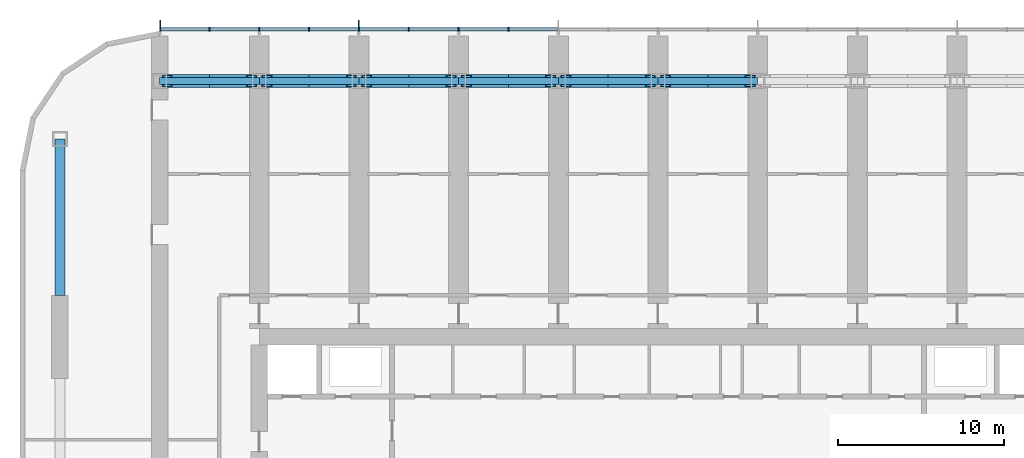
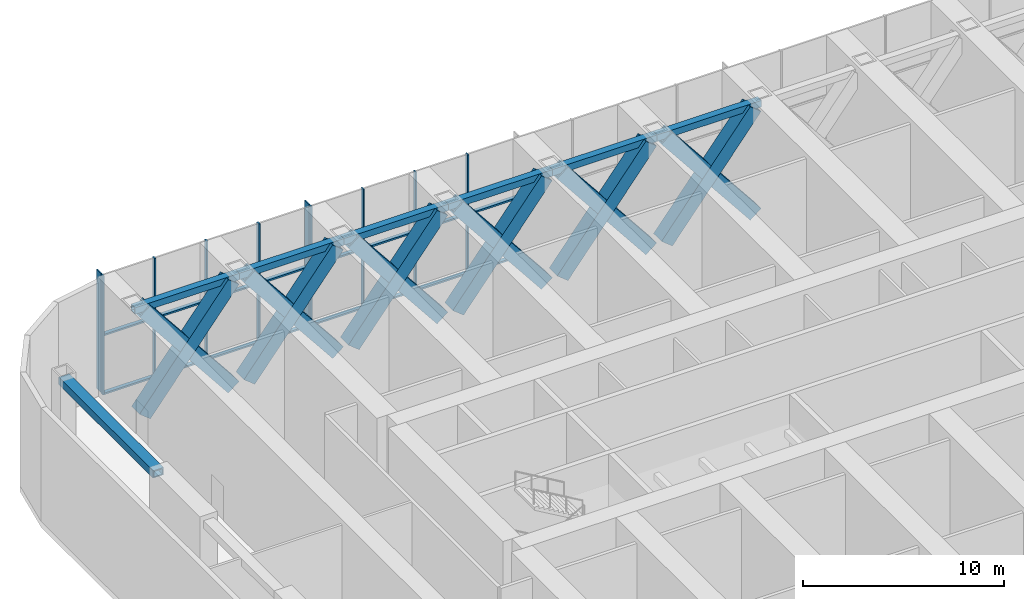
# One storey, part 4 of 24: 38 members, 7 beams, 1 element without a shape of its own.
"""IFC4 building model written with IfcOpenShell, lengths in metres."""

from ifc_helpers import new_model, si_unit, direction, frame, origin, origin_2d, place, context, subcontext, project, spatial, rectangle, hollow_rectangle, extrude, material, material_profile, profile_set, type_object, element, aggregate, save


model = new_model("IFC4")

# Units and contexts
model_context = context("Model", 3, precision=1e-05, world=origin(), true_north=direction((0.0, 1.0)))
body_context = subcontext(model_context, "Body", "Model", "MODEL_VIEW")
ifc_project = project(units=[si_unit("LENGTHUNIT", "METRE"), si_unit("AREAUNIT", "SQUARE_METRE"), si_unit("VOLUMEUNIT", "CUBIC_METRE"), si_unit("PLANEANGLEUNIT", "RADIAN"), si_unit("MASSUNIT", "GRAM", prefix="KILO")], contexts=[model_context])

# Site, building, storey
site_placement = place(None, origin())
site = spatial("IfcSite", under=ifc_project, at=site_placement, CompositionType="ELEMENT")
building_placement = place(site_placement, origin())
building = spatial("IfcBuilding", under=site, at=building_placement, Name="Orbita Commons", CompositionType="ELEMENT")
storey_placement = place(building_placement, frame((0.0, 0.0, 68.949951171875)))
storey = spatial("IfcBuildingStorey", under=building, at=storey_placement, Name="L17", CompositionType="ELEMENT", Elevation=68.949951171875)

# Members
ifc_material_1 = material(Name="Steel ASTM A572 Gr 50 welded plate", Category="steel")
ifc_material_profile_1 = material_profile(ifc_material_1, hollow_rectangle(XDim=0.800048828125, YDim=0.800048828125, WallThickness=0.080078125, at=origin_2d()), Name="BOX 800x800x80")
ifc_profile_set_1 = profile_set([ifc_material_profile_1], Name="Steel ASTM A572 Gr 50 welded plate")
member_type_1 = type_object("IfcMemberType", Name="Belt truss diagonal BOX 800x800x80", PredefinedType="BRACE", material=ifc_profile_set_1)
for number, where, z_axis, x_axis, name in (
    (1, (12.449951171875, 53.60009765625, 0.25), (0.623202279578, 0.0, 0.782060687369), (0.0, 1.0, 0.0), "Belt truss diagonal E 3-4 rising L17"),
    (2, (12.449951171875, 53.60009765625, 6.650146484375), (0.623202279578, 0.0, -0.782060687369), (0.0, 1.0, 0.0), "Belt truss diagonal E 3-4 falling L17"),
    (3, (18.449951171875, 53.60009765625, 0.25), (0.623202279578, 0.0, 0.782060687369), (0.0, 1.0, 0.0), "Belt truss diagonal E 4-5 rising L17"),
    (4, (18.449951171875, 53.60009765625, 6.650146484375), (0.623202279578, 0.0, -0.782060687369), (0.0, 1.0, 0.0), "Belt truss diagonal E 4-5 falling L17"),
    (5, (24.449951171875, 53.60009765625, 0.25), (0.623202279578, 0.0, 0.782060687369), (0.0, 1.0, 0.0), "Belt truss diagonal E 5-6 rising L17"),
    (6, (24.449951171875, 53.60009765625, 6.650146484375), (0.623202279578, 0.0, -0.782060687369), (0.0, 1.0, 0.0), "Belt truss diagonal E 5-6 falling L17"),
    (7, (30.449951171875, 53.60009765625, 0.25), (0.623202279578, 0.0, 0.782060687369), (0.0, 1.0, 0.0), "Belt truss diagonal E 6-7 rising L17"),
    (8, (30.449951171875, 53.60009765625, 6.650146484375), (0.623202279578, 0.0, -0.782060687369), (0.0, 1.0, 0.0), "Belt truss diagonal E 6-7 falling L17"),
    (9, (36.449951171875, 53.60009765625, 0.25), (0.623202279578, 0.0, 0.782060687369), (0.0, 1.0, 0.0), "Belt truss diagonal E 7-8 rising L17"),
    (10, (36.449951171875, 53.60009765625, 6.650146484375), (0.623202279578, 0.0, -0.782060687369), (0.0, 1.0, 0.0), "Belt truss diagonal E 7-8 falling L17"),
    (11, (42.449951171875, 53.60009765625, 0.25), (0.623202279578, 0.0, 0.782060687369), (0.0, 1.0, 0.0), "Belt truss diagonal E 8-9 rising L17"),
    (12, (42.449951171875, 53.60009765625, 6.650146484375), (0.623202279578, 0.0, -0.782060687369), (0.0, 1.0, 0.0), "Belt truss diagonal E 8-9 falling L17"),
):
    element("IfcMember", number, at=place(storey_placement, frame(where, z_axis=z_axis, x_axis=x_axis)), inside=storey, type_object=member_type_1, Name=name, PredefinedType="BRACE", context=body_context, shape_type="SweptSolid", body=[
        extrude(hollow_rectangle(XDim=0.800048828125, YDim=0.800048828125, WallThickness=0.080078125, at=origin_2d()), origin(), (0.0, 0.0, 1.0), 8.18359375),
    ])

# Curtain wall, members
ifc_material_2 = material(Name="Anodised aluminium frame, pale silver", Category="aluminium")
curtain_wall_type = type_object("IfcCurtainWallType", Name="Louvred curtain wall CW-V", PredefinedType="NOTDEFINED", material=ifc_material_2)
curtain_wall_placement = place(storey_placement, origin())
curtain_wall = element("IfcCurtainWall", 13, at=curtain_wall_placement, inside=storey, type_object=curtain_wall_type, Name="Curtain wall north L17", PredefinedType="NOTDEFINED")
ifc_material_3 = material(Name="Anodised aluminium, pale silver", Category="aluminium")
ifc_material_profile_2 = material_profile(ifc_material_3, rectangle(XDim=0.080078125, YDim=0.219970703125, at=origin_2d()), Name="AL 80x220")
ifc_profile_set_2 = profile_set([ifc_material_profile_2], Name="Anodised aluminium, pale silver")
member_type_2 = type_object("IfcMemberType", Name="Curtain wall mullion 80x220", PredefinedType="MULLION", material=ifc_profile_set_2)
member_1_placement = place(storey_placement, frame((33.0, 56.7099609375, -0.349853515625), z_axis=(0.0, 0.0, 1.0), x_axis=(-1.0, 0.0, 0.0)))
member_1 = element("IfcMember", 14, at=member_1_placement, type_object=member_type_2, Name="Mullion 14 CW-L17-N", PredefinedType="MULLION", context=body_context, shape_type="SweptSolid", body=[
    extrude(rectangle(XDim=0.080078125, YDim=0.219970703125, at=origin_2d()), origin(), (0.0, 0.0, 1.0), 7.25),
])
member_2_placement = place(storey_placement, frame((30.0, 56.7099609375, -0.349853515625), z_axis=(0.0, 0.0, 1.0), x_axis=(-1.0, 0.0, 0.0)))
member_2 = element("IfcMember", 15, at=member_2_placement, type_object=member_type_2, Name="Mullion 15 CW-L17-N", PredefinedType="MULLION", context=body_context, shape_type="SweptSolid", body=[
    extrude(rectangle(XDim=0.080078125, YDim=0.219970703125, at=origin_2d()), origin(), (0.0, 0.0, 1.0), 7.25),
])
member_3_placement = place(storey_placement, frame((27.0, 56.7099609375, -0.349853515625), z_axis=(0.0, 0.0, 1.0), x_axis=(-1.0, 0.0, 0.0)))
member_3 = element("IfcMember", 16, at=member_3_placement, type_object=member_type_2, Name="Mullion 16 CW-L17-N", PredefinedType="MULLION", context=body_context, shape_type="SweptSolid", body=[
    extrude(rectangle(XDim=0.080078125, YDim=0.219970703125, at=origin_2d()), origin(), (0.0, 0.0, 1.0), 7.25),
])
member_4_placement = place(storey_placement, frame((24.0, 56.7099609375, -0.349853515625), z_axis=(0.0, 0.0, 1.0), x_axis=(-1.0, 0.0, 0.0)))
member_4 = element("IfcMember", 17, at=member_4_placement, type_object=member_type_2, Name="Mullion 17 CW-L17-N", PredefinedType="MULLION", context=body_context, shape_type="SweptSolid", body=[
    extrude(rectangle(XDim=0.080078125, YDim=0.219970703125, at=origin_2d()), origin(), (0.0, 0.0, 1.0), 7.25),
])
member_5_placement = place(storey_placement, frame((21.0, 56.7099609375, -0.349853515625), z_axis=(0.0, 0.0, 1.0), x_axis=(-1.0, 0.0, 0.0)))
member_5 = element("IfcMember", 18, at=member_5_placement, type_object=member_type_2, Name="Mullion 18 CW-L17-N", PredefinedType="MULLION", context=body_context, shape_type="SweptSolid", body=[
    extrude(rectangle(XDim=0.080078125, YDim=0.219970703125, at=origin_2d()), origin(), (0.0, 0.0, 1.0), 7.25),
])
member_6_placement = place(storey_placement, frame((18.0, 56.7099609375, -0.349853515625), z_axis=(0.0, 0.0, 1.0), x_axis=(-1.0, 0.0, 0.0)))
member_6 = element("IfcMember", 19, at=member_6_placement, type_object=member_type_2, Name="Mullion 19 CW-L17-N", PredefinedType="MULLION", context=body_context, shape_type="SweptSolid", body=[
    extrude(rectangle(XDim=0.080078125, YDim=0.219970703125, at=origin_2d()), origin(), (0.0, 0.0, 1.0), 7.25),
])
member_7_placement = place(storey_placement, frame((15.0, 56.7099609375, -0.349853515625), z_axis=(0.0, 0.0, 1.0), x_axis=(-1.0, 0.0, 0.0)))
member_7 = element("IfcMember", 20, at=member_7_placement, type_object=member_type_2, Name="Mullion 20 CW-L17-N", PredefinedType="MULLION", context=body_context, shape_type="SweptSolid", body=[
    extrude(rectangle(XDim=0.080078125, YDim=0.219970703125, at=origin_2d()), origin(), (0.0, 0.0, 1.0), 7.25),
])
member_8_placement = place(storey_placement, frame((12.0400390625, 56.7099609375, -0.349853515625), z_axis=(0.0, 0.0, 1.0), x_axis=(-1.0, 0.0, 0.0)))
member_8 = element("IfcMember", 21, at=member_8_placement, type_object=member_type_2, Name="Mullion 21 CW-L17-N", PredefinedType="MULLION", context=body_context, shape_type="SweptSolid", body=[
    extrude(rectangle(XDim=0.080078125, YDim=0.219970703125, at=origin_2d()), origin(), (0.0, 0.0, 1.0), 7.25),
])
ifc_material_4 = material(Name="Anodised aluminium, pale silver", Category="aluminium")
ifc_material_profile_3 = material_profile(ifc_material_4, rectangle(XDim=0.219970703125, YDim=0.10009765625, at=origin_2d()), Name="AL 220x100")
ifc_profile_set_3 = profile_set([ifc_material_profile_3], Name="Anodised aluminium, pale silver")
member_type_3 = type_object("IfcMemberType", Name="Curtain wall stack transom 220x100", PredefinedType="USERDEFINED", material=ifc_profile_set_3)
member_9_placement = place(storey_placement, frame((35.9599609375, 56.7099609375, -0.300048828125), z_axis=(-1.0, 0.0, 0.0), x_axis=(0.0, -1.0, 0.0)))
member_9 = element("IfcMember", 22, at=member_9_placement, type_object=member_type_3, Name="Transom 13.1 CW-L17-N", ObjectType="TRANSOM", PredefinedType="USERDEFINED", context=body_context, shape_type="SweptSolid", body=[
    extrude(rectangle(XDim=0.219970703125, YDim=0.10009765625, at=origin_2d()), origin(), (0.0, 0.0, 1.0), 2.919921875),
])
member_10_placement = place(storey_placement, frame((35.9599609375, 56.7099609375, 3.275146484375), z_axis=(-1.0, 0.0, 0.0), x_axis=(0.0, -1.0, 0.0)))
member_10 = element("IfcMember", 23, at=member_10_placement, type_object=member_type_3, Name="Transom 13.2 CW-L17-N", ObjectType="TRANSOM", PredefinedType="USERDEFINED", context=body_context, shape_type="SweptSolid", body=[
    extrude(rectangle(XDim=0.219970703125, YDim=0.10009765625, at=origin_2d()), origin(), (0.0, 0.0, 1.0), 2.919921875),
])
member_11_placement = place(storey_placement, frame((32.9599609375, 56.7099609375, -0.300048828125), z_axis=(-1.0, 0.0, 0.0), x_axis=(0.0, -1.0, 0.0)))
member_11 = element("IfcMember", 24, at=member_11_placement, type_object=member_type_3, Name="Transom 14.1 CW-L17-N", ObjectType="TRANSOM", PredefinedType="USERDEFINED", context=body_context, shape_type="SweptSolid", body=[
    extrude(rectangle(XDim=0.219970703125, YDim=0.10009765625, at=origin_2d()), origin(), (0.0, 0.0, 1.0), 2.919921875),
])
member_12_placement = place(storey_placement, frame((32.9599609375, 56.7099609375, 3.275146484375), z_axis=(-1.0, 0.0, 0.0), x_axis=(0.0, -1.0, 0.0)))
member_12 = element("IfcMember", 25, at=member_12_placement, type_object=member_type_3, Name="Transom 14.2 CW-L17-N", ObjectType="TRANSOM", PredefinedType="USERDEFINED", context=body_context, shape_type="SweptSolid", body=[
    extrude(rectangle(XDim=0.219970703125, YDim=0.10009765625, at=origin_2d()), origin(), (0.0, 0.0, 1.0), 2.919921875),
])
member_13_placement = place(storey_placement, frame((29.9599609375, 56.7099609375, -0.300048828125), z_axis=(-1.0, 0.0, 0.0), x_axis=(0.0, -1.0, 0.0)))
member_13 = element("IfcMember", 26, at=member_13_placement, type_object=member_type_3, Name="Transom 15.1 CW-L17-N", ObjectType="TRANSOM", PredefinedType="USERDEFINED", context=body_context, shape_type="SweptSolid", body=[
    extrude(rectangle(XDim=0.219970703125, YDim=0.10009765625, at=origin_2d()), origin(), (0.0, 0.0, 1.0), 2.919921875),
])
member_14_placement = place(storey_placement, frame((29.9599609375, 56.7099609375, 3.275146484375), z_axis=(-1.0, 0.0, 0.0), x_axis=(0.0, -1.0, 0.0)))
member_14 = element("IfcMember", 27, at=member_14_placement, type_object=member_type_3, Name="Transom 15.2 CW-L17-N", ObjectType="TRANSOM", PredefinedType="USERDEFINED", context=body_context, shape_type="SweptSolid", body=[
    extrude(rectangle(XDim=0.219970703125, YDim=0.10009765625, at=origin_2d()), origin(), (0.0, 0.0, 1.0), 2.919921875),
])
member_15_placement = place(storey_placement, frame((26.9599609375, 56.7099609375, -0.300048828125), z_axis=(-1.0, 0.0, 0.0), x_axis=(0.0, -1.0, 0.0)))
member_15 = element("IfcMember", 28, at=member_15_placement, type_object=member_type_3, Name="Transom 16.1 CW-L17-N", ObjectType="TRANSOM", PredefinedType="USERDEFINED", context=body_context, shape_type="SweptSolid", body=[
    extrude(rectangle(XDim=0.219970703125, YDim=0.10009765625, at=origin_2d()), origin(), (0.0, 0.0, 1.0), 2.919921875),
])
member_16_placement = place(storey_placement, frame((26.9599609375, 56.7099609375, 3.275146484375), z_axis=(-1.0, 0.0, 0.0), x_axis=(0.0, -1.0, 0.0)))
member_16 = element("IfcMember", 29, at=member_16_placement, type_object=member_type_3, Name="Transom 16.2 CW-L17-N", ObjectType="TRANSOM", PredefinedType="USERDEFINED", context=body_context, shape_type="SweptSolid", body=[
    extrude(rectangle(XDim=0.219970703125, YDim=0.10009765625, at=origin_2d()), origin(), (0.0, 0.0, 1.0), 2.919921875),
])
member_17_placement = place(storey_placement, frame((23.9599609375, 56.7099609375, -0.300048828125), z_axis=(-1.0, 0.0, 0.0), x_axis=(0.0, -1.0, 0.0)))
member_17 = element("IfcMember", 30, at=member_17_placement, type_object=member_type_3, Name="Transom 17.1 CW-L17-N", ObjectType="TRANSOM", PredefinedType="USERDEFINED", context=body_context, shape_type="SweptSolid", body=[
    extrude(rectangle(XDim=0.219970703125, YDim=0.10009765625, at=origin_2d()), origin(), (0.0, 0.0, 1.0), 2.919921875),
])
member_18_placement = place(storey_placement, frame((23.9599609375, 56.7099609375, 3.275146484375), z_axis=(-1.0, 0.0, 0.0), x_axis=(0.0, -1.0, 0.0)))
member_18 = element("IfcMember", 31, at=member_18_placement, type_object=member_type_3, Name="Transom 17.2 CW-L17-N", ObjectType="TRANSOM", PredefinedType="USERDEFINED", context=body_context, shape_type="SweptSolid", body=[
    extrude(rectangle(XDim=0.219970703125, YDim=0.10009765625, at=origin_2d()), origin(), (0.0, 0.0, 1.0), 2.919921875),
])
member_19_placement = place(storey_placement, frame((20.9599609375, 56.7099609375, -0.300048828125), z_axis=(-1.0, 0.0, 0.0), x_axis=(0.0, -1.0, 0.0)))
member_19 = element("IfcMember", 32, at=member_19_placement, type_object=member_type_3, Name="Transom 18.1 CW-L17-N", ObjectType="TRANSOM", PredefinedType="USERDEFINED", context=body_context, shape_type="SweptSolid", body=[
    extrude(rectangle(XDim=0.219970703125, YDim=0.10009765625, at=origin_2d()), origin(), (0.0, 0.0, 1.0), 2.919921875),
])
member_20_placement = place(storey_placement, frame((20.9599609375, 56.7099609375, 3.275146484375), z_axis=(-1.0, 0.0, 0.0), x_axis=(0.0, -1.0, 0.0)))
member_20 = element("IfcMember", 33, at=member_20_placement, type_object=member_type_3, Name="Transom 18.2 CW-L17-N", ObjectType="TRANSOM", PredefinedType="USERDEFINED", context=body_context, shape_type="SweptSolid", body=[
    extrude(rectangle(XDim=0.219970703125, YDim=0.10009765625, at=origin_2d()), origin(), (0.0, 0.0, 1.0), 2.919921875),
])
member_21_placement = place(storey_placement, frame((17.9599609375, 56.7099609375, -0.300048828125), z_axis=(-1.0, 0.0, 0.0), x_axis=(0.0, -1.0, 0.0)))
member_21 = element("IfcMember", 34, at=member_21_placement, type_object=member_type_3, Name="Transom 19.1 CW-L17-N", ObjectType="TRANSOM", PredefinedType="USERDEFINED", context=body_context, shape_type="SweptSolid", body=[
    extrude(rectangle(XDim=0.219970703125, YDim=0.10009765625, at=origin_2d()), origin(), (0.0, 0.0, 1.0), 2.919921875),
])
member_22_placement = place(storey_placement, frame((17.9599609375, 56.7099609375, 3.275146484375), z_axis=(-1.0, 0.0, 0.0), x_axis=(0.0, -1.0, 0.0)))
member_22 = element("IfcMember", 35, at=member_22_placement, type_object=member_type_3, Name="Transom 19.2 CW-L17-N", ObjectType="TRANSOM", PredefinedType="USERDEFINED", context=body_context, shape_type="SweptSolid", body=[
    extrude(rectangle(XDim=0.219970703125, YDim=0.10009765625, at=origin_2d()), origin(), (0.0, 0.0, 1.0), 2.919921875),
])
member_23_placement = place(storey_placement, frame((14.9599609375, 56.7099609375, -0.300048828125), z_axis=(-1.0, 0.0, 0.0), x_axis=(0.0, -1.0, 0.0)))
member_23 = element("IfcMember", 36, at=member_23_placement, type_object=member_type_3, Name="Transom 20.1 CW-L17-N", ObjectType="TRANSOM", PredefinedType="USERDEFINED", context=body_context, shape_type="SweptSolid", body=[
    extrude(rectangle(XDim=0.219970703125, YDim=0.10009765625, at=origin_2d()), origin(), (0.0, 0.0, 1.0), 2.8798828125),
])
member_24_placement = place(storey_placement, frame((14.9599609375, 56.7099609375, 3.275146484375), z_axis=(-1.0, 0.0, 0.0), x_axis=(0.0, -1.0, 0.0)))
member_24 = element("IfcMember", 37, at=member_24_placement, type_object=member_type_3, Name="Transom 20.2 CW-L17-N", ObjectType="TRANSOM", PredefinedType="USERDEFINED", context=body_context, shape_type="SweptSolid", body=[
    extrude(rectangle(XDim=0.219970703125, YDim=0.10009765625, at=origin_2d()), origin(), (0.0, 0.0, 1.0), 2.8798828125),
])

# Beams
ifc_material_5 = material(Name="Steel ASTM A572 Gr 50 welded plate", Category="steel")
ifc_material_profile_4 = material_profile(ifc_material_5, hollow_rectangle(XDim=0.60009765625, YDim=0.449951171875, WallThickness=0.06005859375, at=origin_2d()), Name="BOX 450x600x60")
ifc_profile_set_4 = profile_set([ifc_material_profile_4], Name="Steel ASTM A572 Gr 50 welded plate")
beam_type_1 = type_object("IfcBeamType", Name="Steel end frame link BOX 450x600x60", PredefinedType="BEAM", material=ifc_profile_set_4)
beam_placement = place(storey_placement, frame((6.0, 40.699951171875, 6.675048828125), z_axis=(0.0, 1.0, 0.0), x_axis=(-1.0, 0.0, 0.0)))
element("IfcBeam", 38, at=beam_placement, inside=storey, type_object=beam_type_1, Name="End frame beam 2 D-E L17", PredefinedType="BEAM", context=body_context, shape_type="SweptSolid", body=[
    extrude(hollow_rectangle(XDim=0.60009765625, YDim=0.449951171875, WallThickness=0.06005859375, at=origin_2d()), origin(), (0.0, 0.0, 1.0), 9.400146484375),
])
ifc_material_6 = material(Name="Steel ASTM A572 Gr 50 welded plate", Category="steel")
ifc_material_profile_5 = material_profile(ifc_material_6, hollow_rectangle(XDim=0.39990234375, YDim=0.39990234375, WallThickness=0.0400390625, at=origin_2d()), Name="BOX 400x400x40")
ifc_profile_set_5 = profile_set([ifc_material_profile_5], Name="Steel ASTM A572 Gr 50 welded plate")
beam_type_2 = type_object("IfcBeamType", Name="Steel spandrel BOX 400x400x40", PredefinedType="SPANDREL", material=ifc_profile_set_5)
for number, where, z_axis, x_axis, name in (
    (39, (12.0, 53.60009765625, 6.699951171875), (1.0, 0.0, 0.0), (0.0, 1.0, 0.0), "Spandrel beam E 3-4 L17"),
    (40, (18.0, 53.60009765625, 6.699951171875), (1.0, 0.0, 0.0), (0.0, 1.0, 0.0), "Spandrel beam E 4-5 L17"),
    (41, (24.0, 53.60009765625, 6.699951171875), (1.0, 0.0, 0.0), (0.0, 1.0, 0.0), "Spandrel beam E 5-6 L17"),
    (42, (30.0, 53.60009765625, 6.699951171875), (1.0, 0.0, 0.0), (0.0, 1.0, 0.0), "Spandrel beam E 6-7 L17"),
    (43, (36.0, 53.60009765625, 6.699951171875), (1.0, 0.0, 0.0), (0.0, 1.0, 0.0), "Spandrel beam E 7-8 L17"),
    (44, (42.0, 53.60009765625, 6.699951171875), (1.0, 0.0, 0.0), (0.0, 1.0, 0.0), "Spandrel beam E 8-9 L17"),
):
    element("IfcBeam", number, at=place(storey_placement, frame(where, z_axis=z_axis, x_axis=x_axis)), inside=storey, type_object=beam_type_2, Name=name, PredefinedType="SPANDREL", context=body_context, shape_type="SweptSolid", body=[
        extrude(hollow_rectangle(XDim=0.39990234375, YDim=0.39990234375, WallThickness=0.0400390625, at=origin_2d()), origin(), (0.0, 0.0, 1.0), 6.0),
    ])

# Member
ifc_material_7 = material(Name="Anodised aluminium, pale silver", Category="aluminium")
ifc_material_profile_6 = material_profile(ifc_material_7, rectangle(XDim=0.06005859375, YDim=0.449951171875, at=origin_2d()), Name="FIN 60x450")
ifc_profile_set_6 = profile_set([ifc_material_profile_6], Name="Anodised aluminium, pale silver")
member_type_4 = type_object("IfcMemberType", Name="Vertical fin 60x450 pale aluminium", PredefinedType="USERDEFINED", material=ifc_profile_set_6)
member_25_placement = place(storey_placement, frame((24.0, 57.044921875, -0.349853515625), z_axis=(0.0, 0.0, 1.0), x_axis=(-1.0, 0.0, 0.0)))
member_25 = element("IfcMember", 45, at=member_25_placement, type_object=member_type_4, Name="Fin 17 CW-L17-N", ObjectType="FIN", PredefinedType="USERDEFINED", context=body_context, shape_type="SweptSolid", body=[
    extrude(rectangle(XDim=0.06005859375, YDim=0.449951171875, at=origin_2d()), origin(), (0.0, 0.0, 1.0), 7.25),
])

member_26_placement = place(storey_placement, frame((12.0400390625, 57.044921875, -0.349853515625), z_axis=(0.0, 0.0, 1.0), x_axis=(-1.0, 0.0, 0.0)))
member_26 = element("IfcMember", 46, at=member_26_placement, type_object=member_type_4, Name="Fin 21 CW-L17-N", ObjectType="FIN", PredefinedType="USERDEFINED", context=body_context, shape_type="SweptSolid", body=[
    extrude(rectangle(XDim=0.06005859375, YDim=0.449951171875, at=origin_2d()), origin(), (0.0, 0.0, 1.0), 7.25),
])

aggregate(curtain_wall, [member_1, member_2, member_3, member_4, member_25, member_5, member_6, member_7, member_8, member_26, member_9, member_10, member_11, member_12, member_13, member_14, member_15, member_16, member_17, member_18, member_19, member_20, member_21, member_22, member_23, member_24])

save(model, "model.ifc")
